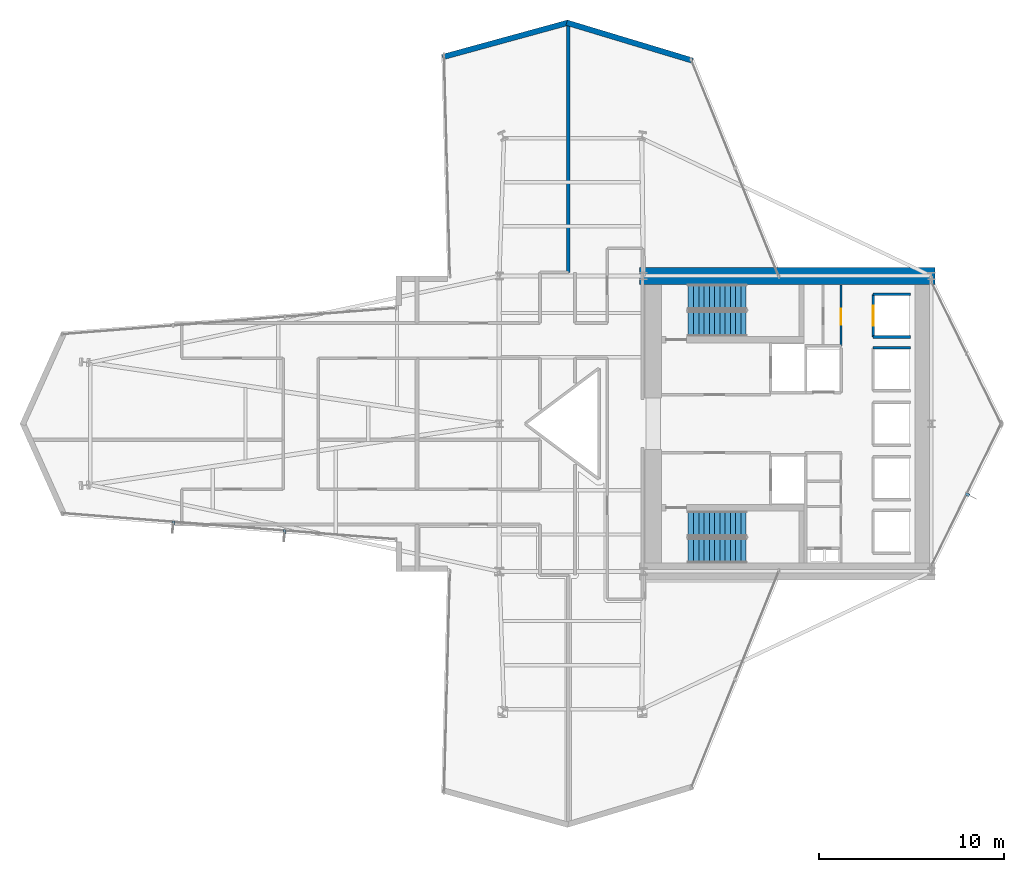
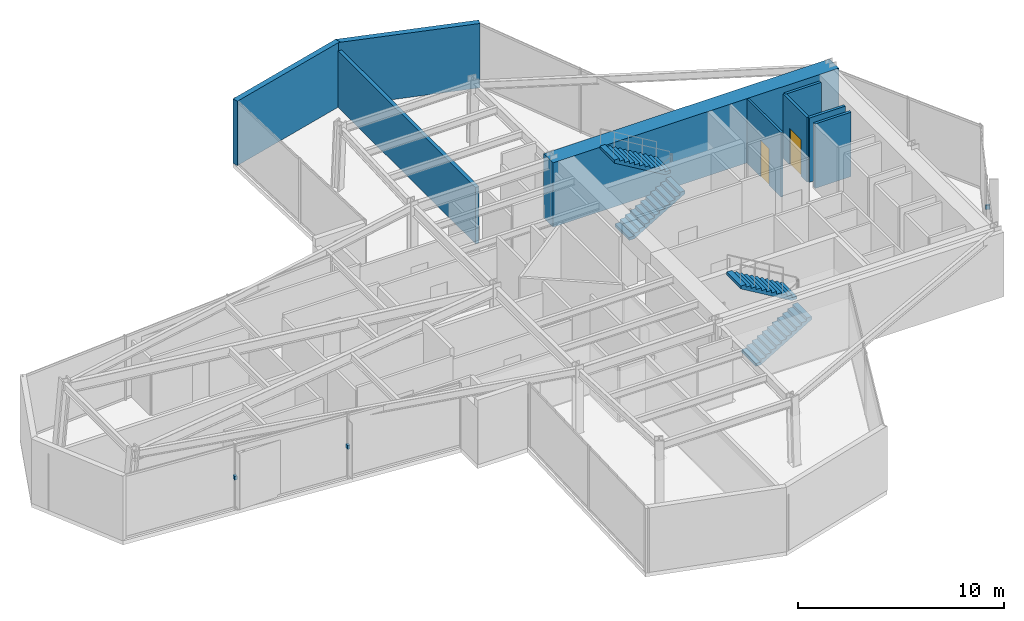
# One storey, part 29 of 31: 9 walls, 4 stair flights, 3 discrete accessories, 2 doors, 2 openings, 2 elements without a shape of their own.
"""IFC4 building model written with IfcOpenShell, lengths in metres."""

from ifc_helpers import new_model, si_unit, direction, frame, frame_2d, origin, origin_2d, place, context, subcontext, project, spatial, polyline, rectangle, outline, extrude, material, layer, layer_set, type_object, element, fill, aggregate, save


model = new_model("IFC4")

# Units and contexts
model_context = context("Model", 3, precision=1e-05, world=origin(), true_north=direction((0.0, 1.0)))
body_context = subcontext(model_context, "Body", "Model", "MODEL_VIEW")
ifc_project = project(units=[si_unit("LENGTHUNIT", "METRE"), si_unit("AREAUNIT", "SQUARE_METRE"), si_unit("VOLUMEUNIT", "CUBIC_METRE"), si_unit("PLANEANGLEUNIT", "RADIAN"), si_unit("MASSUNIT", "GRAM", prefix="KILO")], contexts=[model_context])

# Site, building, storey
site_placement = place(None, origin())
site = spatial("IfcSite", under=ifc_project, at=site_placement, CompositionType="ELEMENT")
building_placement = place(site_placement, origin())
building = spatial("IfcBuilding", under=site, at=building_placement, Name="Veymaron Broadcast Tower", CompositionType="ELEMENT")
storey_placement = place(building_placement, frame((0.0, 0.0, 70.199951171875)))
storey = spatial("IfcBuildingStorey", under=building, at=storey_placement, Name="L15", CompositionType="ELEMENT", Elevation=70.199951171875)

# Walls
ifc_material_1 = material(Name="Concrete C40/50", Category="concrete")
ifc_layer_1 = layer(ifc_material_1, 0.199951171875)
ifc_layer_set_1 = layer_set([ifc_layer_1], Name="Concrete C40/50")
wall_type_1 = type_object("IfcWallType", Name="WALL-BLK-200", PredefinedType="SOLIDWALL", material=ifc_layer_set_1)
wall_1_placement = place(storey_placement, frame((34.94091796875, 32.199951171875, 0.0), z_axis=(0.0, 0.0, 1.0), x_axis=(0.0, 1.0, 0.0)))
element("IfcWall", 1, at=wall_1_placement, inside=storey, type_object=wall_type_1, Name="L15 partition IW-L15-P42", PredefinedType="SOLIDWALL", context=body_context, shape_type="SweptSolid", body=[
    extrude(rectangle(XDim=13.635986328125, YDim=0.199951171875, at=frame_2d((6.81787109375, 0.0))), origin(), (0.0, 0.0, 1.0), 3.338134765625),
])
ifc_material_2 = material(Name="Precast concrete C40/50 with mineral-wool insulation", Category="concrete")
ifc_layer_2 = layer(ifc_material_2, 0.300048828125)
ifc_layer_set_2 = layer_set([ifc_layer_2], Name="Precast concrete C40/50 with mineral-wool insulation")
wall_type_2 = type_object("IfcWallType", Name="WALL-EXT-300", PredefinedType="STANDARD", material=ifc_layer_set_2)
wall_2_placement = place(storey_placement, frame((41.669921875, 43.659912109375, 0.0), z_axis=(0.0, 0.0, 1.0), x_axis=(-0.957387451844, 0.288806625707, 0.0)))
element("IfcWall", 2, at=wall_2_placement, inside=storey, type_object=wall_type_2, Name="L15 notched corner facade pier 6-1", PredefinedType="STANDARD", context=body_context, shape_type="SweptSolid", body=[
    extrude(rectangle(XDim=7.122802734375, YDim=0.300048828125, at=frame_2d((3.5615234375, 0.0))), origin(), (0.0, 0.0, 1.0), 3.81005859375),
])
wall_3_placement = place(storey_placement, frame((34.927978515625, 45.716064453125, 0.0), z_axis=(0.0, 0.0, 1.0), x_axis=(-0.96439075506, -0.264481514581, 0.0)))
element("IfcWall", 3, at=wall_3_placement, inside=storey, type_object=wall_type_2, Name="L15 notched corner facade pier 7-1", PredefinedType="STANDARD", context=body_context, shape_type="SweptSolid", body=[
    extrude(rectangle(XDim=7.07080078125, YDim=0.300048828125, at=frame_2d((3.535400390625, 0.0))), origin(), (0.0, 0.0, 1.0), 3.81005859375),
])

# Wall, opening, door
ifc_material_3 = material(Name="Gypsum fireboard and steel stud framing", Category="steel")
ifc_layer_3 = layer(ifc_material_3, 0.14990234375)
ifc_layer_set_3 = layer_set([ifc_layer_3], Name="Gypsum fireboard and steel stud framing")
wall_type_3 = type_object("IfcWallType", Name="WALL-FIRE-150", PredefinedType="PARTITIONING", material=ifc_layer_set_3)
wall_4_placement = place(storey_placement, frame((51.445068359375, 28.68994140625, 0.0), z_axis=(0.0, 0.0, 1.0), x_axis=(0.0, 1.0, 0.0)))
wall_4 = element("IfcWall", 4, at=wall_4_placement, inside=storey, type_object=wall_type_3, Name="L15 partition IW-L15-SHW-PL1", PredefinedType="PARTITIONING", context=body_context, shape_type="SweptSolid", body=[
    extrude(rectangle(XDim=2.320068359375, YDim=0.14990234375, at=frame_2d((1.16015625, 0.0))), origin(), (0.0, 0.0, 1.0), 3.81005859375),
])
opening_1_placement = place(wall_4_placement, frame((0.610107421875, 0.0, 0.0)))
opening_1 = element("IfcOpeningElement", 5, at=opening_1_placement, cuts=wall_4, Name="Opening LD", PredefinedType="OPENING", context=body_context, shape_type="SweptSolid", body=[
    extrude(rectangle(XDim=1.10009765625, YDim=2.14990234375, at=frame_2d((0.550048828125, 1.074951171875))), frame((0.0, 0.0849609375, 0.0), z_axis=(0.0, -1.0, 0.0), x_axis=(1.0, 0.0, 0.0)), (0.0, 0.0, 1.0), 0.169921875),
])
ifc_material_4 = material(Name="Brushed stainless steel AISI 304", Category="steel")
door_type_1 = type_object("IfcDoorType", Name="DOOR-LIFT-1100", OperationType="DOUBLE_DOOR_SLIDING", PredefinedType="DOOR", material=ifc_material_4)
door_1_placement = place(opening_1_placement, frame((1.10009765625, 0.0, 0.0), z_axis=(0.0, 0.0, 1.0), x_axis=(-1.0, 0.0, 0.0)))
door_1 = element("IfcDoor", 6, at=door_1_placement, inside=storey, type_object=door_type_1, Name="L15 door LD-L15-PL1", OperationType="DOUBLE_DOOR_SLIDING", OverallHeight=2.14990234375, OverallWidth=1.10009765625, PredefinedType="DOOR", context=body_context, shape_type="SweptSolid", body=[
    extrude(rectangle(XDim=1.10009765625, YDim=2.14990234375, at=frame_2d((0.550048828125, 1.074951171875))), frame((0.0, 0.02490234375, 0.0), z_axis=(0.0, -1.0, 0.0), x_axis=(1.0, 0.0, 0.0)), (0.0, 0.0, 1.0), 0.050048828125),
])
fill(opening_1, door_1)

# Walls
for number, where, z_axis, x_axis, name in (
    (7, (51.445068359375, 28.68994140625, 0.0), (0.0, 0.0, 1.0), (1.0, 0.0, 0.0), "L15 partition IW-L15-SHS-PL1"),
    (8, (51.445068359375, 31.010009765625, 0.0), (0.0, 0.0, 1.0), (1.0, 0.0, 0.0), "L15 partition IW-L15-SHN-PL1"),
    (9, (51.445068359375, 28.110107421875, 0.0), (0.0, 0.0, 1.0), (1.0, 0.0, 0.0), "L15 partition IW-L15-SHN-PM1"),
):
    element("IfcWall", number, at=place(storey_placement, frame(where, z_axis=z_axis, x_axis=x_axis)), inside=storey, type_object=wall_type_3, Name=name, PredefinedType="PARTITIONING", context=body_context, shape_type="SweptSolid", body=[
        extrude(rectangle(XDim=2.014892578125, YDim=0.14990234375, at=frame_2d((1.00732421875, 0.0))), origin(), (0.0, 0.0, 1.0), 3.81005859375),
    ])

# Wall, opening, door
ifc_material_5 = material(Name="Acoustic gypsum board and galvanized stud", Category="gypsum")
ifc_layer_4 = layer(ifc_material_5, 0.1201171875)
ifc_layer_set_4 = layer_set([ifc_layer_4], Name="Acoustic gypsum board and galvanized stud")
wall_type_4 = type_object("IfcWallType", Name="WALL-PART-120", PredefinedType="PARTITIONING", material=ifc_layer_set_4)
wall_5_placement = place(storey_placement, frame((49.699951171875, 28.219970703125, 0.0), z_axis=(0.0, 0.0, 1.0), x_axis=(0.0, 1.0, 0.0)))
wall_5 = element("IfcWall", 10, at=wall_5_placement, inside=storey, type_object=wall_type_4, Name="L15 partition IW-L15-NM-E", PredefinedType="PARTITIONING", context=body_context, shape_type="SweptSolid", body=[
    extrude(rectangle(XDim=3.300048828125, YDim=0.1201171875, at=frame_2d((1.64990234375, 0.0))), origin(), (0.0, 0.0, 1.0), 3.81005859375),
])
opening_2_placement = place(wall_5_placement, frame((1.14990234375, 0.0, 0.0)))
opening_2 = element("IfcOpeningElement", 11, at=opening_2_placement, cuts=wall_5, Name="Opening ID-WC1", PredefinedType="OPENING", context=body_context, shape_type="SweptSolid", body=[
    extrude(rectangle(XDim=0.85009765625, YDim=2.14990234375, at=frame_2d((0.425048828125, 1.074951171875))), frame((0.0, 0.070068359375, 0.0), z_axis=(0.0, -1.0, 0.0), x_axis=(1.0, 0.0, 0.0)), (0.0, 0.0, 1.0), 0.14013671875),
])
ifc_material_6 = material(Name="Moisture-resistant high-pressure laminate timber", Category="wood")
door_type_2 = type_object("IfcDoorType", Name="DOOR-INT-850", OperationType="NOTDEFINED", PredefinedType="DOOR", material=ifc_material_6)
door_2_placement = place(opening_2_placement, frame((0.85009765625, 0.0, 0.0), z_axis=(0.0, 0.0, 1.0), x_axis=(-1.0, 0.0, 0.0)))
door_2 = element("IfcDoor", 12, at=door_2_placement, inside=storey, type_object=door_type_2, Name="L15 door DR-L15-NMA", OperationType="SINGLE_SWING_RIGHT", OverallHeight=2.14990234375, OverallWidth=0.85009765625, PredefinedType="DOOR", context=body_context, shape_type="SweptSolid", body=[
    extrude(rectangle(XDim=0.85009765625, YDim=2.14990234375, at=frame_2d((0.425048828125, 1.074951171875))), frame((0.0, 0.02490234375, 0.0), z_axis=(0.0, -1.0, 0.0), x_axis=(1.0, 0.0, 0.0)), (0.0, 0.0, 1.0), 0.050048828125),
])
fill(opening_2, door_2)

# Wall
ifc_material_7 = material(Name="Concrete C70/85", Category="concrete")
ifc_layer_5 = layer(ifc_material_7, 0.89990234375)
ifc_layer_set_5 = layer_set([ifc_layer_5], Name="Concrete C70/85")
wall_type_5 = type_object("IfcWallType", Name="WALL-SHEAR-900", PredefinedType="SHEAR", material=ifc_layer_set_5)
wall_6_placement = place(storey_placement, frame((38.800048828125, 32.0, 0.0), z_axis=(0.0, 0.0, 1.0), x_axis=(1.0, 0.0, 0.0)))
element("IfcWall", 13, at=wall_6_placement, inside=storey, type_object=wall_type_5, Name="L15 Core Wall north shear", PredefinedType="SHEAR", context=body_context, shape_type="SweptSolid", body=[
    extrude(rectangle(XDim=16.0, YDim=0.89990234375, at=frame_2d((8.0, 0.0))), origin(), (0.0, 0.0, 1.0), 3.81005859375),
])

# Stair, stair flights
ifc_material_8 = material(Name="Concrete C50/60", Category="concrete")
stair_type_1 = type_object("IfcStairType", Name="STAIR-CORE-1", PredefinedType="HALF_TURN_STAIR", material=ifc_material_8)
stair_1_placement = place(storey_placement, origin())
stair_1 = element("IfcStair", 14, at=stair_1_placement, inside=storey, type_object=stair_type_1, Name="L15 North protected dog-leg exit stair ST1", PredefinedType="HALF_TURN_STAIR")
ifc_material_9 = material(Name="Precast concrete C50/60", Category="concrete")
stair_flight_type = type_object("IfcStairFlightType", Name="FLT-CORE-RC", PredefinedType="STRAIGHT", material=ifc_material_9)
stair_flight_1_placement = place(storey_placement, frame((41.429931640625, 29.419921875, 0.0), z_axis=(0.0, 0.0, 1.0), x_axis=(1.0, 0.0, 0.0)))
stair_flight_1 = element("IfcStairFlight", 15, at=stair_flight_1_placement, type_object=stair_flight_type, Name="ST1 flight 1", NumberOfRisers=12, NumberOfTreads=11, PredefinedType="STRAIGHT", RiserHeight=0.16875, TreadLength=0.285, context=body_context, shape_type="SweptSolid", body=[
    extrude(outline(polyline([(0.0, 0.0), (0.0, 0.168701171875), (0.284912109375, 0.168701171875), (0.284912109375, 0.33740234375), (0.570068359375, 0.33740234375), (0.570068359375, 0.50634765625), (0.85498046875, 0.50634765625), (0.85498046875, 0.675048828125), (1.139892578125, 0.675048828125), (1.139892578125, 0.84375), (1.425048828125, 0.84375), (1.425048828125, 1.012451171875), (1.7099609375, 1.012451171875), (1.7099609375, 1.18115234375), (1.9951171875, 1.18115234375), (1.9951171875, 1.35009765625), (2.280029296875, 1.35009765625), (2.280029296875, 1.518798828125), (2.56494140625, 1.518798828125), (2.56494140625, 1.6875), (2.85009765625, 1.6875), (2.85009765625, 1.856201171875), (3.135009765625, 1.856201171875), (3.135009765625, 2.02490234375), (3.135009765625, 1.68212890625), (0.294189453125, 0.0), (0.0, 0.0)])), frame((0.0, 0.68994140625, 0.0), z_axis=(0.0, -1.0, 0.0), x_axis=(1.0, 0.0, 0.0)), (0.0, 0.0, 1.0), 1.3798828125),
])
stair_flight_2_placement = place(storey_placement, frame((44.56494140625, 30.860107421875, 2.025146484375), z_axis=(0.0, 0.0, 1.0), x_axis=(-1.0, 0.0, 0.0)))
stair_flight_2 = element("IfcStairFlight", 16, at=stair_flight_2_placement, type_object=stair_flight_type, Name="ST1 flight 2", NumberOfRisers=12, NumberOfTreads=11, PredefinedType="STRAIGHT", RiserHeight=0.16875, TreadLength=0.285, context=body_context, shape_type="SweptSolid", body=[
    extrude(outline(polyline([(0.0, 0.0), (0.0, 0.168701171875), (0.284912109375, 0.168701171875), (0.284912109375, 0.33740234375), (0.570068359375, 0.33740234375), (0.570068359375, 0.50634765625), (0.85498046875, 0.50634765625), (0.85498046875, 0.675048828125), (1.139892578125, 0.675048828125), (1.139892578125, 0.84375), (1.425048828125, 0.84375), (1.425048828125, 1.012451171875), (1.7099609375, 1.012451171875), (1.7099609375, 1.18115234375), (1.9951171875, 1.18115234375), (1.9951171875, 1.35009765625), (2.280029296875, 1.35009765625), (2.280029296875, 1.518798828125), (2.56494140625, 1.518798828125), (2.56494140625, 1.6875), (2.85009765625, 1.6875), (2.85009765625, 1.856201171875), (3.135009765625, 1.856201171875), (3.135009765625, 2.02490234375), (3.135009765625, 1.68212890625), (0.294189453125, 0.0), (0.0, 0.0)])), frame((0.0, 0.68994140625, 0.0), z_axis=(0.0, -1.0, 0.0), x_axis=(1.0, 0.0, 0.0)), (0.0, 0.0, 1.0), 1.3798828125),
])
aggregate(stair_1, [stair_flight_1, stair_flight_2])

stair_type_2 = type_object("IfcStairType", Name="STAIR-CORE-2", PredefinedType="HALF_TURN_STAIR", material=ifc_material_8)
stair_2_placement = place(storey_placement, origin())
stair_2 = element("IfcStair", 17, at=stair_2_placement, inside=storey, type_object=stair_type_2, Name="L15 South protected dog-leg exit stair ST2", PredefinedType="HALF_TURN_STAIR")
stair_flight_3_placement = place(storey_placement, frame((41.429931640625, 17.139892578125, 0.0), z_axis=(0.0, 0.0, 1.0), x_axis=(1.0, 0.0, 0.0)))
stair_flight_3 = element("IfcStairFlight", 18, at=stair_flight_3_placement, type_object=stair_flight_type, Name="ST2 flight 1", NumberOfRisers=12, NumberOfTreads=11, PredefinedType="STRAIGHT", RiserHeight=0.16875, TreadLength=0.285, context=body_context, shape_type="SweptSolid", body=[
    extrude(outline(polyline([(0.0, 0.0), (0.0, 0.168701171875), (0.284912109375, 0.168701171875), (0.284912109375, 0.33740234375), (0.570068359375, 0.33740234375), (0.570068359375, 0.50634765625), (0.85498046875, 0.50634765625), (0.85498046875, 0.675048828125), (1.139892578125, 0.675048828125), (1.139892578125, 0.84375), (1.425048828125, 0.84375), (1.425048828125, 1.012451171875), (1.7099609375, 1.012451171875), (1.7099609375, 1.18115234375), (1.9951171875, 1.18115234375), (1.9951171875, 1.35009765625), (2.280029296875, 1.35009765625), (2.280029296875, 1.518798828125), (2.56494140625, 1.518798828125), (2.56494140625, 1.6875), (2.85009765625, 1.6875), (2.85009765625, 1.856201171875), (3.135009765625, 1.856201171875), (3.135009765625, 2.02490234375), (3.135009765625, 1.68212890625), (0.294189453125, 0.0), (0.0, 0.0)])), frame((0.0, 0.68994140625, 0.0), z_axis=(0.0, -1.0, 0.0), x_axis=(1.0, 0.0, 0.0)), (0.0, 0.0, 1.0), 1.3798828125),
])
stair_flight_4_placement = place(storey_placement, frame((44.56494140625, 18.580078125, 2.025146484375), z_axis=(0.0, 0.0, 1.0), x_axis=(-1.0, 0.0, 0.0)))
stair_flight_4 = element("IfcStairFlight", 19, at=stair_flight_4_placement, type_object=stair_flight_type, Name="ST2 flight 2", NumberOfRisers=12, NumberOfTreads=11, PredefinedType="STRAIGHT", RiserHeight=0.16875, TreadLength=0.285, context=body_context, shape_type="SweptSolid", body=[
    extrude(outline(polyline([(0.0, 0.0), (0.0, 0.168701171875), (0.284912109375, 0.168701171875), (0.284912109375, 0.33740234375), (0.570068359375, 0.33740234375), (0.570068359375, 0.50634765625), (0.85498046875, 0.50634765625), (0.85498046875, 0.675048828125), (1.139892578125, 0.675048828125), (1.139892578125, 0.84375), (1.425048828125, 0.84375), (1.425048828125, 1.012451171875), (1.7099609375, 1.012451171875), (1.7099609375, 1.18115234375), (1.9951171875, 1.18115234375), (1.9951171875, 1.35009765625), (2.280029296875, 1.35009765625), (2.280029296875, 1.518798828125), (2.56494140625, 1.518798828125), (2.56494140625, 1.6875), (2.85009765625, 1.6875), (2.85009765625, 1.856201171875), (3.135009765625, 1.856201171875), (3.135009765625, 2.02490234375), (3.135009765625, 1.68212890625), (0.294189453125, 0.0), (0.0, 0.0)])), frame((0.0, 0.68994140625, 0.0), z_axis=(0.0, -1.0, 0.0), x_axis=(1.0, 0.0, 0.0)), (0.0, 0.0, 1.0), 1.3798828125),
])
aggregate(stair_2, [stair_flight_3, stair_flight_4])

# Discrete accessories
ifc_material_10 = material(Name="Austenitic stainless steel AISI 316L", Category="steel")
ifc_layer_6 = layer(ifc_material_10, 0.1201171875)
ifc_layer_set_6 = layer_set([ifc_layer_6], Name="Austenitic stainless steel AISI 316L")
discrete_accessory_type = type_object("IfcDiscreteAccessoryType", Name="ACC-BRKT-SS1", PredefinedType="BRACKET", material=ifc_layer_set_6)
for number, where, z_axis, x_axis, name in (
    (20, (56.5546875, 20.163330078125, 1.794921875), (0.0, 0.0, 1.0), (0.897681771406, -0.440644343304, 0.0), "CW-L15-E2-1 fin bracket 1"),
    (21, (13.542236328125, 18.6240234375, 1.794921875), (0.0, 0.0, 1.0), (-0.078024101027, -0.996951473071, 0.0), "CW-L15-E14-1 fin bracket 1"),
    (22, (19.578125, 18.15185546875, 1.794921875), (0.0, 0.0, 1.0), (-0.078024101027, -0.996951473071, 0.0), "CW-L15-E14-1 fin bracket 2"),
):
    element("IfcDiscreteAccessory", number, at=place(storey_placement, frame(where, z_axis=z_axis, x_axis=x_axis)), inside=storey, type_object=discrete_accessory_type, Name=name, PredefinedType="BRACKET", context=body_context, shape_type="SweptSolid", body=[
        extrude(rectangle(XDim=0.219970703125, YDim=0.139892578125, at=origin_2d()), origin(), (0.0, 0.0, 1.0), 0.219970703125),
    ])

save(model, "model.ifc")
